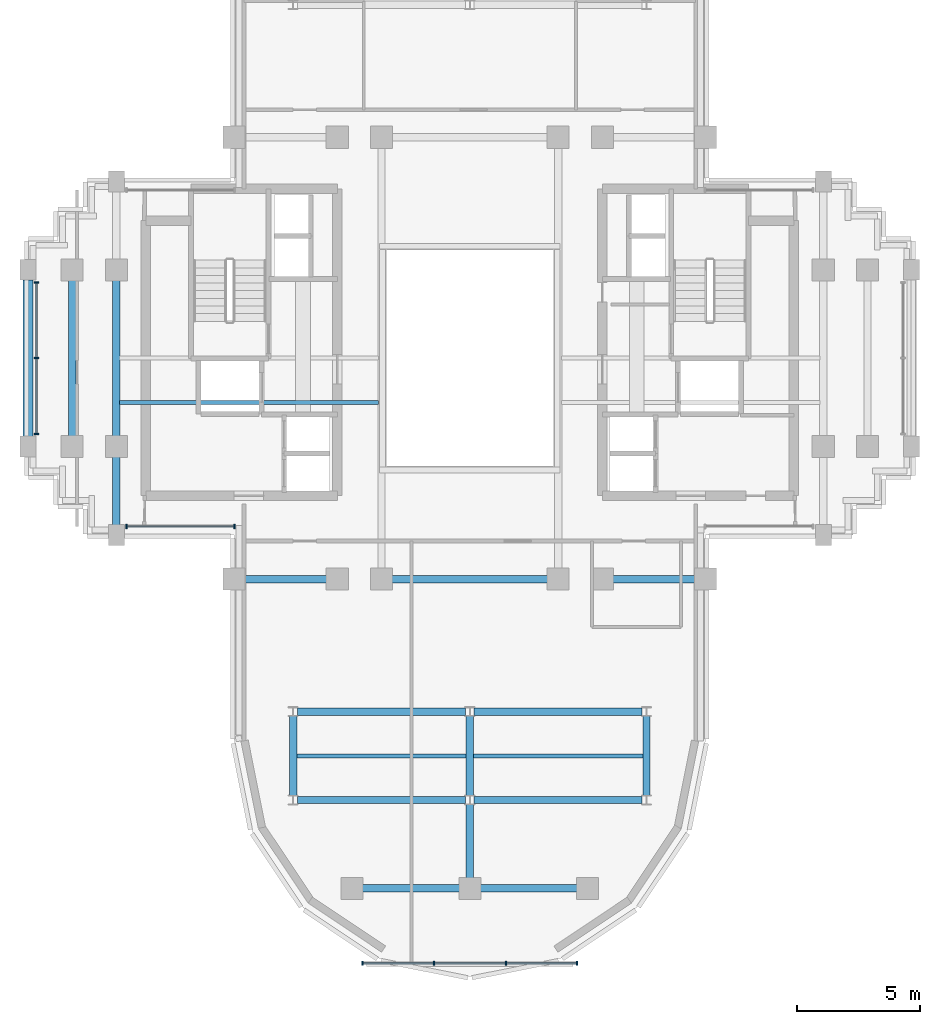
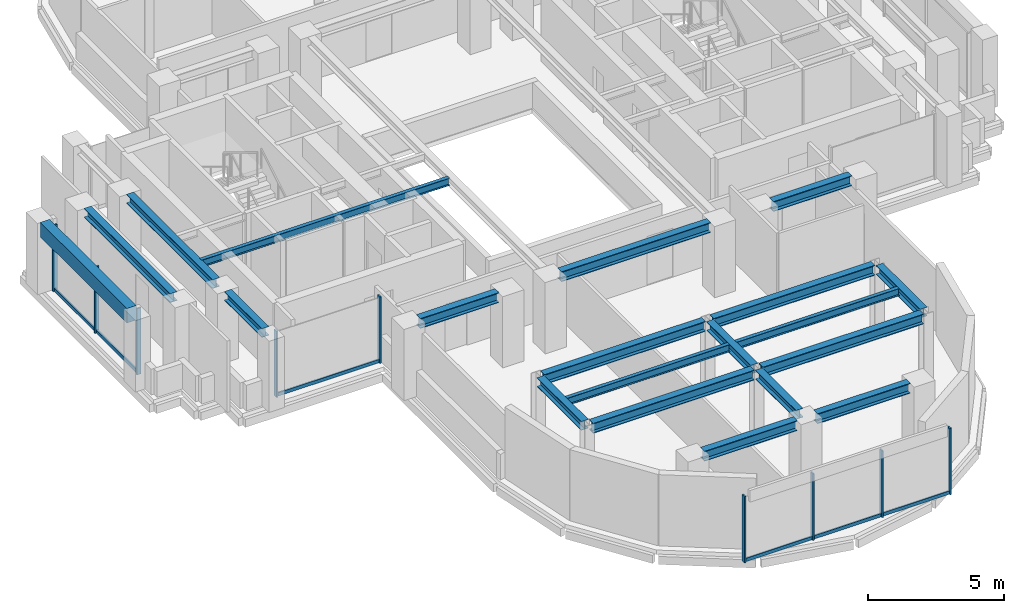
# One storey, part 2 of 11: 20 beams, 15 members, 3 elements without a shape of their own.
"""IFC4 building model written with IfcOpenShell, lengths in metres."""

from ifc_helpers import new_model, si_unit, direction, frame, origin, origin_2d, place, context, subcontext, project, spatial, rectangle, i_section, extrude, source, transform, mapped, material, material_profile, profile_set, type_object, element, aggregate, save


model = new_model("IFC4")

# Units and contexts
model_context = context("Model", 3, precision=1e-05, world=origin(), true_north=direction((0.0, 1.0)))
body_context = subcontext(model_context, "Body", "Model", "MODEL_VIEW")
ifc_project = project(units=[si_unit("LENGTHUNIT", "METRE"), si_unit("AREAUNIT", "SQUARE_METRE"), si_unit("VOLUMEUNIT", "CUBIC_METRE"), si_unit("PLANEANGLEUNIT", "RADIAN"), si_unit("MASSUNIT", "GRAM", prefix="KILO")], contexts=[model_context])

# Site, building, storey
site_placement = place(None, origin())
site = spatial("IfcSite", under=ifc_project, at=site_placement, CompositionType="ELEMENT")
building_placement = place(site_placement, origin())
building = spatial("IfcBuilding", under=site, at=building_placement, Name="Keilestroom Media Tower", CompositionType="ELEMENT")
storey_placement = place(building_placement, frame((0.0, 0.0, 174.0)))
storey = spatial("IfcBuildingStorey", under=building, at=storey_placement, Name="L47", CompositionType="ELEMENT", Elevation=174.0)

# Beams
ifc_material_1 = material(Name="Steel S355", Category="steel")
ifc_material_profile_1 = material_profile(ifc_material_1, i_section(OverallWidth=0.300048828125, OverallDepth=0.449951171875, WebThickness=0.011962890625, FlangeThickness=0.02587890625, at=origin_2d()), Name="HEB 450")
ifc_profile_set_1 = profile_set([ifc_material_profile_1], Name="Steel S355")
beam_type_1 = type_object("IfcBeamType", Name="Primary-Structural-Girder-HEB-450", PredefinedType="BEAM", material=ifc_profile_set_1)
shared_shape_1 = source(origin(), body_context, "Body", "SweptSolid", [
    extrude(i_section(OverallWidth=0.300048828125, OverallDepth=0.449951171875, WebThickness=0.011962890625, FlangeThickness=0.02587890625, at=origin_2d()), origin(), (0.0, 0.0, 1.0), 3.940185546875),
])
for number, where, z_axis, x_axis, name in (
    (1, (-4.3701171875, -21.60009765625, 2.97509765625), (1.0, 0.0, 0.0), (0.0, 1.0, 0.0), "L47 Beam BG-7 BM-L47-EW-001"),
    (2, (0.429931640625, -21.60009765625, 2.97509765625), (1.0, 0.0, 0.0), (0.0, 1.0, 0.0), "L47 Beam BG-7 BM-L47-EW-002"),
):
    element("IfcBeam", number, at=place(storey_placement, frame(where, z_axis=z_axis, x_axis=x_axis)), inside=storey, type_object=beam_type_1, Name=name, PredefinedType="BEAM", context=body_context, shape_type="MappedRepresentation", body=[
        mapped(shared_shape_1, transform((0.0, 0.0, 0.0), x_axis=(1.0, 0.0, 0.0), y_axis=(0.0, 1.0, 0.0), z_axis=(0.0, 0.0, 1.0), scale=1.0)),
    ])
shared_shape_2 = source(origin(), body_context, "Body", "SweptSolid", [
    extrude(i_section(OverallWidth=0.300048828125, OverallDepth=0.449951171875, WebThickness=0.011962890625, FlangeThickness=0.02587890625, at=origin_2d()), origin(), (0.0, 0.0, 1.0), 6.842041015625),
])
for number, where, z_axis, x_axis, name in (
    (3, (-7.02099609375, -18.0, 2.97509765625), (1.0, 0.0, 0.0), (0.0, 1.0, 0.0), "L47 Beam BG-7 BM-L47-EW-003"),
    (4, (0.178955078125, -18.0, 2.97509765625), (1.0, 0.0, 0.0), (0.0, 1.0, 0.0), "L47 Beam BG-7 BM-L47-EW-004"),
    (5, (-7.02099609375, -14.39990234375, 2.97509765625), (1.0, 0.0, 0.0), (0.0, 1.0, 0.0), "L47 Beam BG-7 BM-L47-EW-005"),
    (6, (0.178955078125, -14.39990234375, 2.97509765625), (1.0, 0.0, 0.0), (0.0, 1.0, 0.0), "L47 Beam BG-7 BM-L47-EW-006"),
):
    element("IfcBeam", number, at=place(storey_placement, frame(where, z_axis=z_axis, x_axis=x_axis)), inside=storey, type_object=beam_type_1, Name=name, PredefinedType="BEAM", context=body_context, shape_type="MappedRepresentation", body=[
        mapped(shared_shape_2, transform((0.0, 0.0, 0.0), x_axis=(1.0, 0.0, 0.0), y_axis=(0.0, 1.0, 0.0), z_axis=(0.0, 0.0, 1.0), scale=1.0)),
    ])
shared_shape_3 = source(origin(), body_context, "Body", "SweptSolid", [
    extrude(i_section(OverallWidth=0.300048828125, OverallDepth=0.449951171875, WebThickness=0.011962890625, FlangeThickness=0.02587890625, at=origin_2d()), origin(), (0.0, 0.0, 1.0), 3.33984375),
])
for number, where, z_axis, x_axis, name in (
    (7, (-9.169921875, -9.0, 2.97509765625), (1.0, 0.0, 0.0), (0.0, 1.0, 0.0), "L47 Beam BG-7 BM-L47-EW-007"),
    (8, (5.830078125, -9.0, 2.97509765625), (1.0, 0.0, 0.0), (0.0, 1.0, 0.0), "L47 Beam BG-7 BM-L47-EW-011"),
):
    element("IfcBeam", number, at=place(storey_placement, frame(where, z_axis=z_axis, x_axis=x_axis)), inside=storey, type_object=beam_type_1, Name=name, PredefinedType="BEAM", context=body_context, shape_type="MappedRepresentation", body=[
        mapped(shared_shape_3, transform((0.0, 0.0, 0.0), x_axis=(1.0, 0.0, 0.0), y_axis=(0.0, 1.0, 0.0), z_axis=(0.0, 0.0, 1.0), scale=1.0)),
    ])
shared_shape_4 = source(origin(), body_context, "Body", "SweptSolid", [
    extrude(i_section(OverallWidth=0.300048828125, OverallDepth=0.449951171875, WebThickness=0.011962890625, FlangeThickness=0.02587890625, at=origin_2d()), origin(), (0.0, 0.0, 1.0), 6.33984375),
])
beam_1_placement = place(storey_placement, frame((-3.169921875, -9.0, 2.97509765625), z_axis=(1.0, 0.0, 0.0), x_axis=(0.0, 1.0, 0.0)))
element("IfcBeam", 9, at=beam_1_placement, inside=storey, type_object=beam_type_1, Name="L47 Beam BG-7 BM-L47-EW-009", PredefinedType="BEAM", context=body_context, shape_type="MappedRepresentation", body=[
    mapped(shared_shape_4, transform((0.0, 0.0, 0.0), x_axis=(1.0, 0.0, 0.0), y_axis=(0.0, 1.0, 0.0), z_axis=(0.0, 0.0, 1.0), scale=1.0)),
])
ifc_material_2 = material(Name="Precast concrete C40/50", Category="concrete")
ifc_material_profile_2 = material_profile(ifc_material_2, rectangle(XDim=0.39990234375, YDim=0.64990234375, at=origin_2d()), Name="PC 400x650")
ifc_profile_set_2 = profile_set([ifc_material_profile_2], Name="Precast concrete C40/50")
beam_type_2 = type_object("IfcBeamType", Name="Perimeter-Spandrel-Beam-PC-400x650", PredefinedType="SPANDREL", material=ifc_profile_set_2)
shared_shape_5 = source(origin(), body_context, "Body", "SweptSolid", [
    extrude(rectangle(XDim=0.39990234375, YDim=0.64990234375, at=origin_2d()), origin(), (0.0, 0.0, 1.0), 6.39013671875),
])
beam_2_placement = place(storey_placement, frame((-18.0, -3.195068359375, 2.875), z_axis=(0.0, 1.0, 0.0), x_axis=(-1.0, 0.0, 0.0)))
element("IfcBeam", 10, at=beam_2_placement, inside=storey, type_object=beam_type_2, Name="L47 Beam SPB-2 BM-L47-NS-031", PredefinedType="SPANDREL", context=body_context, shape_type="MappedRepresentation", body=[
    mapped(shared_shape_5, transform((0.0, 0.0, 0.0), x_axis=(1.0, 0.0, 0.0), y_axis=(0.0, 1.0, 0.0), z_axis=(0.0, 0.0, 1.0), scale=1.0)),
])
ifc_material_profile_3 = material_profile(ifc_material_1, i_section(OverallWidth=0.300048828125, OverallDepth=0.39990234375, WebThickness=0.011474609375, FlangeThickness=0.02392578125, at=origin_2d()), Name="HEB 400")
ifc_profile_set_3 = profile_set([ifc_material_profile_3], Name="Steel S355")
beam_type_3 = type_object("IfcBeamType", Name="Primary-Structural-Girder-HEB-400", PredefinedType="BEAM", material=ifc_profile_set_3)
shared_shape_6 = source(origin(), body_context, "Body", "SweptSolid", [
    extrude(i_section(OverallWidth=0.300048828125, OverallDepth=0.39990234375, WebThickness=0.011474609375, FlangeThickness=0.02392578125, at=origin_2d()), origin(), (0.0, 0.0, 1.0), 6.33984375),
])
for number, where, z_axis, x_axis, name in (
    (11, (-16.199951171875, -3.169921875, 3.0), (0.0, 1.0, 0.0), (-1.0, 0.0, 0.0), "L47 Beam BG-8 BM-L47-NS-032"),
    (12, (-14.39990234375, -3.169921875, 3.0), (0.0, 1.0, 0.0), (-1.0, 0.0, 0.0), "L47 Beam BG-8 BM-L47-NS-034"),
):
    element("IfcBeam", number, at=place(storey_placement, frame(where, z_axis=z_axis, x_axis=x_axis)), inside=storey, type_object=beam_type_3, Name=name, PredefinedType="BEAM", context=body_context, shape_type="MappedRepresentation", body=[
        mapped(shared_shape_6, transform((0.0, 0.0, 0.0), x_axis=(1.0, 0.0, 0.0), y_axis=(0.0, 1.0, 0.0), z_axis=(0.0, 0.0, 1.0), scale=1.0)),
    ])
shared_shape_7 = source(origin(), body_context, "Body", "SweptSolid", [
    extrude(i_section(OverallWidth=0.300048828125, OverallDepth=0.39990234375, WebThickness=0.011474609375, FlangeThickness=0.02392578125, at=origin_2d()), origin(), (0.0, 0.0, 1.0), 2.764892578125),
])
beam_3_placement = place(storey_placement, frame((-14.39990234375, -6.794921875, 3.0), z_axis=(0.0, 1.0, 0.0), x_axis=(-1.0, 0.0, 0.0)))
element("IfcBeam", 13, at=beam_3_placement, inside=storey, type_object=beam_type_3, Name="L47 Beam BG-8 BM-L47-NS-033", PredefinedType="BEAM", context=body_context, shape_type="MappedRepresentation", body=[
    mapped(shared_shape_7, transform((0.0, 0.0, 0.0), x_axis=(1.0, 0.0, 0.0), y_axis=(0.0, 1.0, 0.0), z_axis=(0.0, 0.0, 1.0), scale=1.0)),
])
shared_shape_8 = source(origin(), body_context, "Body", "SweptSolid", [
    extrude(i_section(OverallWidth=0.300048828125, OverallDepth=0.39990234375, WebThickness=0.011474609375, FlangeThickness=0.02392578125, at=origin_2d()), origin(), (0.0, 0.0, 1.0), 3.2529296875),
])
for number, where, z_axis, x_axis, name in (
    (14, (-7.199951171875, -17.826416015625, 3.0), (0.0, 1.0, 0.0), (-1.0, 0.0, 0.0), "L47 Beam BG-8 BM-L47-NS-037"),
    (15, (0.0, -17.826416015625, 3.0), (0.0, 1.0, 0.0), (-1.0, 0.0, 0.0), "L47 Beam BG-8 BM-L47-NS-042"),
    (16, (7.199951171875, -17.826416015625, 3.0), (0.0, 1.0, 0.0), (-1.0, 0.0, 0.0), "L47 Beam BG-8 BM-L47-NS-047"),
):
    element("IfcBeam", number, at=place(storey_placement, frame(where, z_axis=z_axis, x_axis=x_axis)), inside=storey, type_object=beam_type_3, Name=name, PredefinedType="BEAM", context=body_context, shape_type="MappedRepresentation", body=[
        mapped(shared_shape_8, transform((0.0, 0.0, 0.0), x_axis=(1.0, 0.0, 0.0), y_axis=(0.0, 1.0, 0.0), z_axis=(0.0, 0.0, 1.0), scale=1.0)),
    ])
shared_shape_9 = source(origin(), body_context, "Body", "SweptSolid", [
    extrude(i_section(OverallWidth=0.300048828125, OverallDepth=0.39990234375, WebThickness=0.011474609375, FlangeThickness=0.02392578125, at=origin_2d()), origin(), (0.0, 0.0, 1.0), 2.996337890625),
])
beam_4_placement = place(storey_placement, frame((0.0, -21.169921875, 3.0), z_axis=(0.0, 1.0, 0.0), x_axis=(-1.0, 0.0, 0.0)))
element("IfcBeam", 17, at=beam_4_placement, inside=storey, type_object=beam_type_3, Name="L47 Beam BG-8 BM-L47-NS-041", PredefinedType="BEAM", context=body_context, shape_type="MappedRepresentation", body=[
    mapped(shared_shape_9, transform((0.0, 0.0, 0.0), x_axis=(1.0, 0.0, 0.0), y_axis=(0.0, 1.0, 0.0), z_axis=(0.0, 0.0, 1.0), scale=1.0)),
])
ifc_material_profile_4 = material_profile(ifc_material_1, i_section(OverallWidth=0.159912109375, OverallDepth=0.330078125, WebThickness=0.007568359375, FlangeThickness=0.011474609375, at=origin_2d()), Name="IPE 330")
ifc_profile_set_4 = profile_set([ifc_material_profile_4], Name="Steel S355")
beam_type_4 = type_object("IfcBeamType", Name="Secondary-Floor-Joist-IPE-330", PredefinedType="JOIST", material=ifc_profile_set_4)
shared_shape_10 = source(origin(), body_context, "Body", "SweptSolid", [
    extrude(i_section(OverallWidth=0.159912109375, OverallDepth=0.330078125, WebThickness=0.007568359375, FlangeThickness=0.011474609375, at=origin_2d()), origin(), (0.0, 0.0, 1.0), 6.940185546875),
])
for number, where, z_axis, x_axis, name in (
    (18, (-7.070068359375, -16.199951171875, 3.034912109375), (1.0, 0.0, 0.0), (0.0, 1.0, 0.0), "L47 Beam BJ-6 JST-L47-055"),
    (19, (0.1298828125, -16.199951171875, 3.034912109375), (1.0, 0.0, 0.0), (0.0, 1.0, 0.0), "L47 Beam BJ-6 JST-L47-056"),
):
    element("IfcBeam", number, at=place(storey_placement, frame(where, z_axis=z_axis, x_axis=x_axis)), inside=storey, type_object=beam_type_4, Name=name, PredefinedType="JOIST", context=body_context, shape_type="MappedRepresentation", body=[
        mapped(shared_shape_10, transform((0.0, 0.0, 0.0), x_axis=(1.0, 0.0, 0.0), y_axis=(0.0, 1.0, 0.0), z_axis=(0.0, 0.0, 1.0), scale=1.0)),
    ])
shared_shape_11 = source(origin(), body_context, "Body", "SweptSolid", [
    extrude(i_section(OverallWidth=0.159912109375, OverallDepth=0.330078125, WebThickness=0.007568359375, FlangeThickness=0.011474609375, at=origin_2d()), origin(), (0.0, 0.0, 1.0), 10.5400390625),
])
beam_5_placement = place(storey_placement, frame((-14.27001953125, -1.800048828125, 3.034912109375), z_axis=(1.0, 0.0, 0.0), x_axis=(0.0, 1.0, 0.0)))
element("IfcBeam", 20, at=beam_5_placement, inside=storey, type_object=beam_type_4, Name="L47 Beam BJ-6 JST-L47-057", PredefinedType="JOIST", context=body_context, shape_type="MappedRepresentation", body=[
    mapped(shared_shape_11, transform((0.0, 0.0, 0.0), x_axis=(1.0, 0.0, 0.0), y_axis=(0.0, 1.0, 0.0), z_axis=(0.0, 0.0, 1.0), scale=1.0)),
])

# Curtain wall, members
ifc_material_3 = material(Name="Anodised Aluminium Alloy", Category="aluminium")
curtain_wall_type_1 = type_object("IfcCurtainWallType", Name="Unitised-Curtain-Wall-CW-6", PredefinedType="NOTDEFINED", material=ifc_material_3)
curtain_wall_1_placement = place(storey_placement, origin())
curtain_wall_1 = element("IfcCurtainWall", 21, at=curtain_wall_1_placement, inside=storey, type_object=curtain_wall_type_1, Name="L47 Curtain Wall CW-6 CW-L47-LS-1", PredefinedType="NOTDEFINED")
ifc_material_profile_5 = material_profile(ifc_material_3, rectangle(XDim=0.06494140625, YDim=0.179931640625, at=origin_2d()), Name="ALU MULLION 65x180")
ifc_profile_set_5 = profile_set([ifc_material_profile_5], Name="Anodised Aluminium Alloy")
member_type_1 = type_object("IfcMemberType", Name="Curtain-Wall-Mullion-CW-6", PredefinedType="MULLION", material=ifc_profile_set_5)
shared_shape_12 = source(origin(), body_context, "Body", "SweptSolid", [
    extrude(rectangle(XDim=0.06494140625, YDim=0.179931640625, at=origin_2d()), origin(), (0.0, 0.0, 1.0), 2.97998046875),
])
member_1_placement = place(storey_placement, frame((-4.367431640625, -24.64990234375, 0.0), z_axis=(0.0, 0.0, 1.0), x_axis=(1.0, 0.0, 0.0)))
member_1 = element("IfcMember", 22, at=member_1_placement, type_object=member_type_1, Name="CW-6 Mullion 00", PredefinedType="MULLION", context=body_context, shape_type="MappedRepresentation", body=[
    mapped(shared_shape_12, transform((0.0, 0.0, 0.0), x_axis=(1.0, 0.0, 0.0), y_axis=(0.0, 1.0, 0.0), z_axis=(0.0, 0.0, 1.0), scale=1.0)),
])
member_2_placement = place(storey_placement, frame((-1.466796875, -24.64990234375, 0.0), z_axis=(0.0, 0.0, 1.0), x_axis=(1.0, 0.0, 0.0)))
member_2 = element("IfcMember", 23, at=member_2_placement, type_object=member_type_1, Name="CW-6 Mullion 01", PredefinedType="MULLION", context=body_context, shape_type="MappedRepresentation", body=[
    mapped(shared_shape_12, transform((0.0, 0.0, 0.0), x_axis=(1.0, 0.0, 0.0), y_axis=(0.0, 1.0, 0.0), z_axis=(0.0, 0.0, 1.0), scale=1.0)),
])
member_3_placement = place(storey_placement, frame((1.466796875, -24.64990234375, 0.0), z_axis=(0.0, 0.0, 1.0), x_axis=(1.0, 0.0, 0.0)))
member_3 = element("IfcMember", 24, at=member_3_placement, type_object=member_type_1, Name="CW-6 Mullion 02", PredefinedType="MULLION", context=body_context, shape_type="MappedRepresentation", body=[
    mapped(shared_shape_12, transform((0.0, 0.0, 0.0), x_axis=(1.0, 0.0, 0.0), y_axis=(0.0, 1.0, 0.0), z_axis=(0.0, 0.0, 1.0), scale=1.0)),
])
member_4_placement = place(storey_placement, frame((4.367431640625, -24.64990234375, 0.0), z_axis=(0.0, 0.0, 1.0), x_axis=(1.0, 0.0, 0.0)))
member_4 = element("IfcMember", 25, at=member_4_placement, type_object=member_type_1, Name="CW-6 Mullion 03", PredefinedType="MULLION", context=body_context, shape_type="MappedRepresentation", body=[
    mapped(shared_shape_12, transform((0.0, 0.0, 0.0), x_axis=(1.0, 0.0, 0.0), y_axis=(0.0, 1.0, 0.0), z_axis=(0.0, 0.0, 1.0), scale=1.0)),
])
ifc_material_profile_6 = material_profile(ifc_material_3, rectangle(XDim=0.06494140625, YDim=0.14990234375, at=origin_2d()), Name="ALU TRANSOM 65x150")
ifc_profile_set_6 = profile_set([ifc_material_profile_6], Name="Anodised Aluminium Alloy")
member_type_2 = type_object("IfcMemberType", Name="Curtain-Wall-Transom-CW-6", PredefinedType="USERDEFINED", material=ifc_profile_set_6)
shared_shape_13 = source(origin(), body_context, "Body", "SweptSolid", [
    extrude(rectangle(XDim=0.06494140625, YDim=0.14990234375, at=origin_2d()), origin(), (0.0, 0.0, 1.0), 2.839599609375),
])
member_5_placement = place(storey_placement, frame((-4.3369140625, -24.64990234375, 0.074951171875), z_axis=(1.0, 0.0, 0.0), x_axis=(0.0, 1.0, 0.0)))
member_5 = element("IfcMember", 26, at=member_5_placement, type_object=member_type_2, Name="CW-6 Transom 00.1", ObjectType="TRANSOM", PredefinedType="USERDEFINED", context=body_context, shape_type="MappedRepresentation", body=[
    mapped(shared_shape_13, transform((0.0, 0.0, 0.0), x_axis=(1.0, 0.0, 0.0), y_axis=(0.0, 1.0, 0.0), z_axis=(0.0, 0.0, 1.0), scale=1.0)),
])
member_6_placement = place(storey_placement, frame((1.497314453125, -24.64990234375, 0.074951171875), z_axis=(1.0, 0.0, 0.0), x_axis=(0.0, 1.0, 0.0)))
member_6 = element("IfcMember", 27, at=member_6_placement, type_object=member_type_2, Name="CW-6 Transom 02.1", ObjectType="TRANSOM", PredefinedType="USERDEFINED", context=body_context, shape_type="MappedRepresentation", body=[
    mapped(shared_shape_13, transform((0.0, 0.0, 0.0), x_axis=(1.0, 0.0, 0.0), y_axis=(0.0, 1.0, 0.0), z_axis=(0.0, 0.0, 1.0), scale=1.0)),
])
shared_shape_14 = source(origin(), body_context, "Body", "SweptSolid", [
    extrude(rectangle(XDim=0.06494140625, YDim=0.14990234375, at=origin_2d()), origin(), (0.0, 0.0, 1.0), 2.87255859375),
])
member_7_placement = place(storey_placement, frame((-1.436279296875, -24.64990234375, 0.074951171875), z_axis=(1.0, 0.0, 0.0), x_axis=(0.0, 1.0, 0.0)))
member_7 = element("IfcMember", 28, at=member_7_placement, type_object=member_type_2, Name="CW-6 Transom 01.1", ObjectType="TRANSOM", PredefinedType="USERDEFINED", context=body_context, shape_type="MappedRepresentation", body=[
    mapped(shared_shape_14, transform((0.0, 0.0, 0.0), x_axis=(1.0, 0.0, 0.0), y_axis=(0.0, 1.0, 0.0), z_axis=(0.0, 0.0, 1.0), scale=1.0)),
])
aggregate(curtain_wall_1, [member_1, member_2, member_3, member_4, member_5, member_7, member_6])

curtain_wall_type_2 = type_object("IfcCurtainWallType", Name="Unitised-Curtain-Wall-CW-3", PredefinedType="NOTDEFINED", material=ifc_material_3)
curtain_wall_2_placement = place(storey_placement, origin())
curtain_wall_2 = element("IfcCurtainWall", 29, at=curtain_wall_2_placement, inside=storey, type_object=curtain_wall_type_2, Name="L47 Curtain Wall CW-3 CW-L47-W-1", PredefinedType="NOTDEFINED")
ifc_material_profile_7 = material_profile(ifc_material_3, rectangle(XDim=0.06494140625, YDim=0.179931640625, at=origin_2d()), Name="ALU MULLION 65x180")
ifc_profile_set_7 = profile_set([ifc_material_profile_7], Name="Anodised Aluminium Alloy")
member_type_3 = type_object("IfcMemberType", Name="Curtain-Wall-Mullion-CW-3", PredefinedType="MULLION", material=ifc_profile_set_7)
shared_shape_15 = source(origin(), body_context, "Body", "SweptSolid", [
    extrude(rectangle(XDim=0.06494140625, YDim=0.179931640625, at=origin_2d()), origin(), (0.0, 0.0, 1.0), 2.97998046875),
])
member_8_placement = place(storey_placement, frame((-17.64990234375, -3.08251953125, 0.0), z_axis=(0.0, 0.0, 1.0), x_axis=(0.0, 1.0, 0.0)))
member_8 = element("IfcMember", 30, at=member_8_placement, type_object=member_type_3, Name="CW-3 Mullion 00", PredefinedType="MULLION", context=body_context, shape_type="MappedRepresentation", body=[
    mapped(shared_shape_15, transform((0.0, 0.0, 0.0), x_axis=(1.0, 0.0, 0.0), y_axis=(0.0, 1.0, 0.0), z_axis=(0.0, 0.0, 1.0), scale=1.0)),
])
member_9_placement = place(storey_placement, frame((-17.64990234375, 0.0, 0.0), z_axis=(0.0, 0.0, 1.0), x_axis=(0.0, 1.0, 0.0)))
member_9 = element("IfcMember", 31, at=member_9_placement, type_object=member_type_3, Name="CW-3 Mullion 01", PredefinedType="MULLION", context=body_context, shape_type="MappedRepresentation", body=[
    mapped(shared_shape_15, transform((0.0, 0.0, 0.0), x_axis=(1.0, 0.0, 0.0), y_axis=(0.0, 1.0, 0.0), z_axis=(0.0, 0.0, 1.0), scale=1.0)),
])
member_10_placement = place(storey_placement, frame((-17.64990234375, 3.08251953125, 0.0), z_axis=(0.0, 0.0, 1.0), x_axis=(0.0, 1.0, 0.0)))
member_10 = element("IfcMember", 32, at=member_10_placement, type_object=member_type_3, Name="CW-3 Mullion 02", PredefinedType="MULLION", context=body_context, shape_type="MappedRepresentation", body=[
    mapped(shared_shape_15, transform((0.0, 0.0, 0.0), x_axis=(1.0, 0.0, 0.0), y_axis=(0.0, 1.0, 0.0), z_axis=(0.0, 0.0, 1.0), scale=1.0)),
])

curtain_wall_3_placement = place(storey_placement, origin())
curtain_wall_3 = element("IfcCurtainWall", 33, at=curtain_wall_3_placement, inside=storey, type_object=curtain_wall_type_2, Name="L47 Curtain Wall CW-3 CW-L47-SW-1", PredefinedType="NOTDEFINED")
member_11_placement = place(storey_placement, frame((-13.982421875, -6.85009765625, 0.0), z_axis=(0.0, 0.0, 1.0), x_axis=(1.0, 0.0, 0.0)))
member_11 = element("IfcMember", 34, at=member_11_placement, type_object=member_type_3, Name="CW-3 Mullion 00", PredefinedType="MULLION", context=body_context, shape_type="MappedRepresentation", body=[
    mapped(shared_shape_15, transform((0.0, 0.0, 0.0), x_axis=(1.0, 0.0, 0.0), y_axis=(0.0, 1.0, 0.0), z_axis=(0.0, 0.0, 1.0), scale=1.0)),
])
member_12_placement = place(storey_placement, frame((-9.58251953125, -6.85009765625, 0.0), z_axis=(0.0, 0.0, 1.0), x_axis=(1.0, 0.0, 0.0)))
member_12 = element("IfcMember", 35, at=member_12_placement, type_object=member_type_3, Name="CW-3 Mullion 01", PredefinedType="MULLION", context=body_context, shape_type="MappedRepresentation", body=[
    mapped(shared_shape_15, transform((0.0, 0.0, 0.0), x_axis=(1.0, 0.0, 0.0), y_axis=(0.0, 1.0, 0.0), z_axis=(0.0, 0.0, 1.0), scale=1.0)),
])
ifc_material_profile_8 = material_profile(ifc_material_3, rectangle(XDim=0.06494140625, YDim=0.14990234375, at=origin_2d()), Name="ALU TRANSOM 65x150")
ifc_profile_set_8 = profile_set([ifc_material_profile_8], Name="Anodised Aluminium Alloy")
member_type_4 = type_object("IfcMemberType", Name="Curtain-Wall-Transom-CW-3", PredefinedType="USERDEFINED", material=ifc_profile_set_8)
shared_shape_16 = source(origin(), body_context, "Body", "SweptSolid", [
    extrude(rectangle(XDim=0.06494140625, YDim=0.14990234375, at=origin_2d()), origin(), (0.0, 0.0, 1.0), 4.3388671875),
])
member_13_placement = place(storey_placement, frame((-13.951904296875, -6.85009765625, 0.074951171875), z_axis=(1.0, 0.0, 0.0), x_axis=(0.0, 1.0, 0.0)))
member_13 = element("IfcMember", 36, at=member_13_placement, type_object=member_type_4, Name="CW-3 Transom 00.1", ObjectType="TRANSOM", PredefinedType="USERDEFINED", context=body_context, shape_type="MappedRepresentation", body=[
    mapped(shared_shape_16, transform((0.0, 0.0, 0.0), x_axis=(1.0, 0.0, 0.0), y_axis=(0.0, 1.0, 0.0), z_axis=(0.0, 0.0, 1.0), scale=1.0)),
])
aggregate(curtain_wall_3, [member_11, member_12, member_13])

# Member
shared_shape_17 = source(origin(), body_context, "Body", "SweptSolid", [
    extrude(rectangle(XDim=0.06494140625, YDim=0.14990234375, at=origin_2d()), origin(), (0.0, 0.0, 1.0), 3.021484375),
])
member_14_placement = place(storey_placement, frame((-17.64990234375, -3.052001953125, 0.074951171875), z_axis=(0.0, 1.0, 0.0), x_axis=(-1.0, 0.0, 0.0)))
member_14 = element("IfcMember", 37, at=member_14_placement, type_object=member_type_4, Name="CW-3 Transom 00.1", ObjectType="TRANSOM", PredefinedType="USERDEFINED", context=body_context, shape_type="MappedRepresentation", body=[
    mapped(shared_shape_17, transform((0.0, 0.0, 0.0), x_axis=(1.0, 0.0, 0.0), y_axis=(0.0, 1.0, 0.0), z_axis=(0.0, 0.0, 1.0), scale=1.0)),
])

member_15_placement = place(storey_placement, frame((-17.64990234375, 0.030517578125, 0.074951171875), z_axis=(0.0, 1.0, 0.0), x_axis=(-1.0, 0.0, 0.0)))
member_15 = element("IfcMember", 38, at=member_15_placement, type_object=member_type_4, Name="CW-3 Transom 01.1", ObjectType="TRANSOM", PredefinedType="USERDEFINED", context=body_context, shape_type="MappedRepresentation", body=[
    mapped(shared_shape_17, transform((0.0, 0.0, 0.0), x_axis=(1.0, 0.0, 0.0), y_axis=(0.0, 1.0, 0.0), z_axis=(0.0, 0.0, 1.0), scale=1.0)),
])

aggregate(curtain_wall_2, [member_8, member_9, member_10, member_14, member_15])

save(model, "model.ifc")
